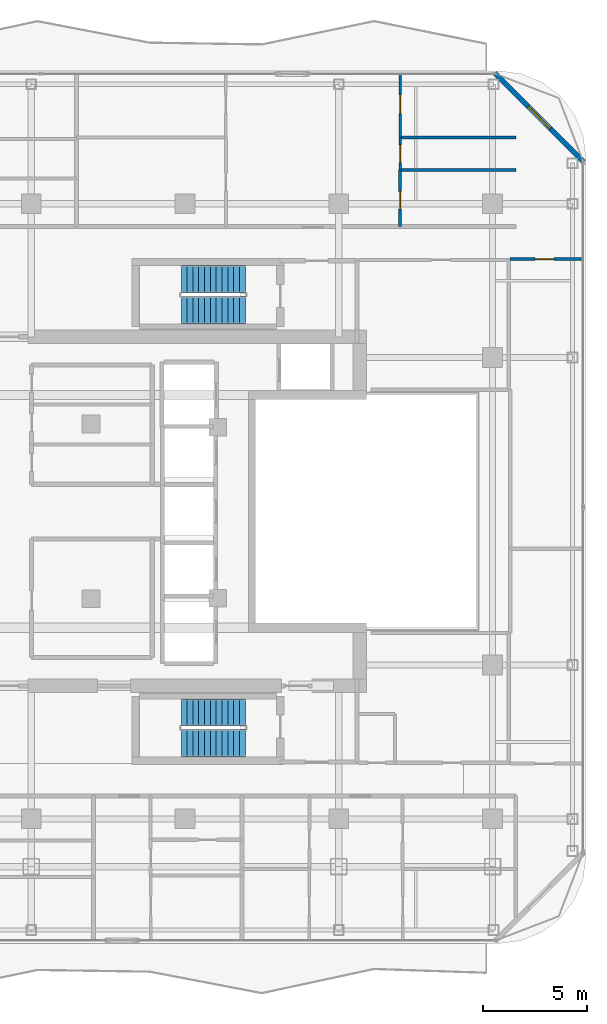
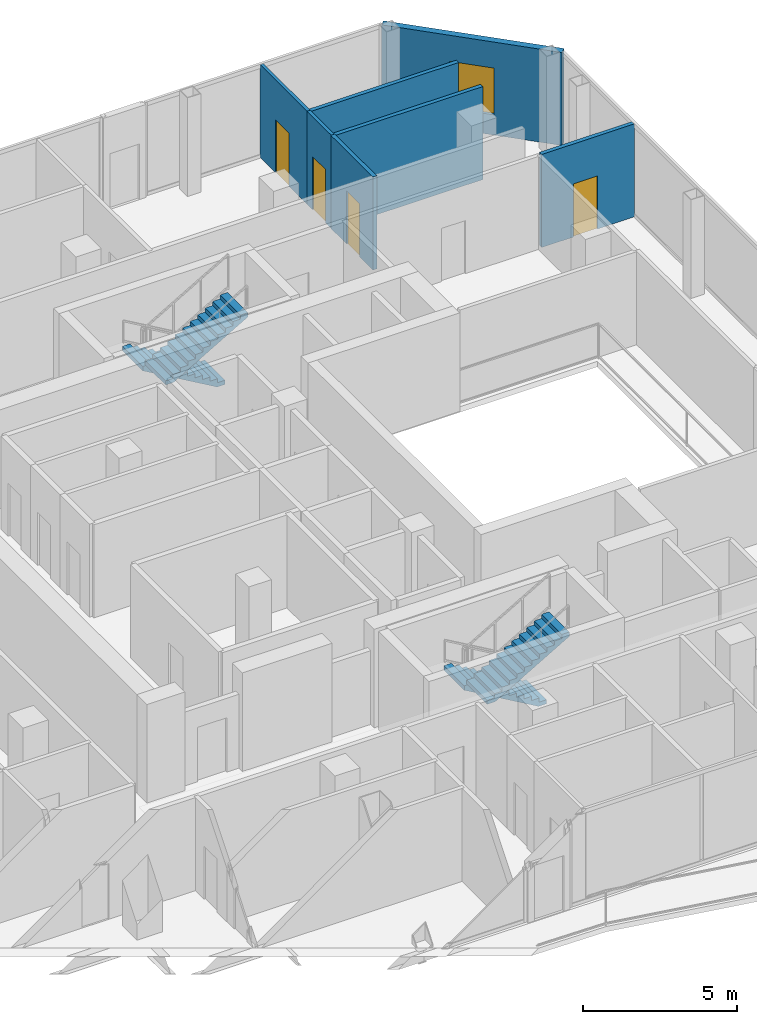
# One storey, part 19 of 22: 7 walls, 4 doors, 4 stair flights, 1 window, 5 openings, 2 elements without a shape of their own.
"""IFC4 building model written with IfcOpenShell, lengths in metres."""

from ifc_helpers import new_model, si_unit, direction, frame, frame_2d, origin, place, context, subcontext, project, spatial, polyline, rectangle, outline, extrude, material, layer, layer_set, type_object, element, fill, aggregate, save


model = new_model("IFC4")

# Units and contexts
model_context = context("Model", 3, precision=1e-05, world=origin(), true_north=direction((0.0, 1.0)))
body_context = subcontext(model_context, "Body", "Model", "MODEL_VIEW")
ifc_project = project(units=[si_unit("LENGTHUNIT", "METRE"), si_unit("AREAUNIT", "SQUARE_METRE"), si_unit("VOLUMEUNIT", "CUBIC_METRE"), si_unit("PLANEANGLEUNIT", "RADIAN"), si_unit("MASSUNIT", "GRAM", prefix="KILO")], contexts=[model_context])

# Site, building, storey
site_placement = place(None, origin())
site = spatial("IfcSite", under=ifc_project, at=site_placement, CompositionType="ELEMENT")
building_placement = place(site_placement, origin())
building = spatial("IfcBuilding", under=site, at=building_placement, Name="Khorvyn Point Tower", CompositionType="ELEMENT")
storey_placement = place(building_placement, frame((0.0, 0.0, 305.39990234375)))
storey = spatial("IfcBuildingStorey", under=building, at=storey_placement, Name="L75", CompositionType="ELEMENT", Elevation=305.39990234375)

# Wall, opening, window
ifc_material_1 = material(Name="Pale anodised aluminium rainscreen on steel stud", Category="steel")
ifc_layer_1 = layer(ifc_material_1, 0.239990234375)
ifc_layer_set_1 = layer_set([ifc_layer_1], Name="Anodised Aluminium Insulated Corner Spandrel Wall 240")
wall_type_1 = type_object("IfcWallType", Name="Anodised Aluminium Insulated Corner Spandrel Wall 240", PredefinedType="SOLIDWALL", material=ifc_layer_set_1)
wall_1_placement = place(storey_placement, frame((14.90771484375, 21.09228515625, 0.0), z_axis=(0.0, 0.0, 1.0), x_axis=(0.707106781187, -0.707106781187, 0.0)))
wall_1 = element("IfcWall", 1, at=wall_1_placement, inside=storey, type_object=wall_type_1, Name="L75 Rounded Corner Wall NE", PredefinedType="SOLIDWALL", context=body_context, shape_type="SweptSolid", body=[
    extrude(rectangle(XDim=6.059326171875, YDim=0.239990234375, at=frame_2d((3.02978515625, 0.0))), origin(), (0.0, 0.0, 1.0), 3.68017578125),
])
opening_1_placement = place(wall_1_placement, frame((2.27978515625, 0.0, 0.800048828125)))
opening_1 = element("IfcOpeningElement", 2, at=opening_1_placement, cuts=wall_1, Name="Opening WN-1518", PredefinedType="OPENING", context=body_context, shape_type="SweptSolid", body=[
    extrude(rectangle(XDim=1.5, YDim=1.85009765625, at=frame_2d((0.75, 0.925048828125))), frame((0.0, 0.1298828125, 0.0), z_axis=(0.0, -1.0, 0.0), x_axis=(1.0, 0.0, 0.0)), (0.0, 0.0, 1.0), 0.260009765625),
])
ifc_material_2 = material(Name="Anodised aluminium 6063-T6 and laminated Low-E glass", Category="aluminium")
window_type = type_object("IfcWindowType", Name="Anodised Aluminium Rounded-Corner Panoramic Window 1500x1850", PartitioningType="SINGLE_PANEL", PredefinedType="WINDOW", material=ifc_material_2)
window_placement = place(opening_1_placement, origin())
window = element("IfcWindow", 3, at=window_placement, inside=storey, type_object=window_type, Name="L75 Corner Panoramic Window NE", OverallHeight=1.85009765625, OverallWidth=1.5, PartitioningType="SINGLE_PANEL", PredefinedType="WINDOW", context=body_context, shape_type="SweptSolid", body=[
    extrude(rectangle(XDim=1.5, YDim=1.85009765625, at=frame_2d((0.75, 0.925048828125))), frame((0.0, 0.030029296875, 0.0), z_axis=(0.0, -1.0, 0.0), x_axis=(1.0, 0.0, 0.0)), (0.0, 0.0, 1.0), 0.06005859375),
])
fill(opening_1, window)

# Wall, opening, door
ifc_material_3 = material(Name="Gypsum plasterboard on steel stud", Category="steel")
ifc_layer_2 = layer(ifc_material_3, 0.1201171875)
ifc_layer_set_2 = layer_set([ifc_layer_2], Name="Gypsum Acoustic Stud Room Partition Wall 120")
wall_type_2 = type_object("IfcWallType", Name="Gypsum Acoustic Stud Room Partition Wall 120", PredefinedType="PARTITIONING", material=ifc_layer_set_2)
wall_2_placement = place(storey_placement, frame((10.35205078125, 16.419921875, 0.0), z_axis=(0.0, 0.0, 1.0), x_axis=(0.0, 1.0, 0.0)))
wall_2 = element("IfcWall", 4, at=wall_2_placement, inside=storey, type_object=wall_type_2, Name="Wall", PredefinedType="PARTITIONING", context=body_context, shape_type="SweptSolid", body=[
    extrude(rectangle(XDim=1.570068359375, YDim=0.1201171875, at=frame_2d((0.78515625, 0.0))), origin(), (0.0, 0.0, 1.0), 3.68017578125),
])
opening_2_placement = place(wall_2_placement, frame((0.360107421875, 0.0, 0.0)))
opening_2 = element("IfcOpeningElement", 5, at=opening_2_placement, cuts=wall_2, Name="Opening ID-WC85", PredefinedType="OPENING", context=body_context, shape_type="SweptSolid", body=[
    extrude(rectangle(XDim=0.85009765625, YDim=2.10009765625, at=frame_2d((0.425048828125, 1.050048828125))), frame((0.0, 0.070068359375, 0.0), z_axis=(0.0, -1.0, 0.0), x_axis=(1.0, 0.0, 0.0)), (0.0, 0.0, 1.0), 0.14013671875),
])
ifc_material_4 = material(Name="High-pressure laminate on moisture-resistant core", Category="wood")
door_type_1 = type_object("IfcDoorType", Name="Moisture-Resistant Accessible Washroom Door 850x2100", OperationType="NOTDEFINED", PredefinedType="DOOR", material=ifc_material_4)
door_1_placement = place(opening_2_placement, origin())
door_1 = element("IfcDoor", 6, at=door_1_placement, inside=storey, type_object=door_type_1, Name="Door", OperationType="SINGLE_SWING_RIGHT", OverallHeight=2.10009765625, OverallWidth=0.85009765625, PredefinedType="DOOR", context=body_context, shape_type="SweptSolid", body=[
    extrude(rectangle(XDim=0.85009765625, YDim=2.10009765625, at=frame_2d((0.425048828125, 1.050048828125))), frame((0.0, 0.02490234375, 0.0), z_axis=(0.0, -1.0, 0.0), x_axis=(1.0, 0.0, 0.0)), (0.0, 0.0, 1.0), 0.050048828125),
])
fill(opening_2, door_1)

wall_3_placement = place(storey_placement, frame((10.35205078125, 17.989990234375, 0.0), z_axis=(0.0, 0.0, 1.0), x_axis=(0.0, 1.0, 0.0)))
wall_3 = element("IfcWall", 7, at=wall_3_placement, inside=storey, type_object=wall_type_2, Name="Wall", PredefinedType="PARTITIONING", context=body_context, shape_type="SweptSolid", body=[
    extrude(rectangle(XDim=3.0400390625, YDim=0.1201171875, at=frame_2d((1.52001953125, 0.0))), origin(), (0.0, 0.0, 1.0), 3.68017578125),
])
opening_3_placement = place(wall_3_placement, frame((1.152587890625, 0.0, 0.0)))
opening_3 = element("IfcOpeningElement", 8, at=opening_3_placement, cuts=wall_3, Name="Opening ID-RM90", PredefinedType="OPENING", context=body_context, shape_type="SweptSolid", body=[
    extrude(rectangle(XDim=0.89990234375, YDim=2.10009765625, at=frame_2d((0.449951171875, 1.050048828125))), frame((0.0, 0.070068359375, 0.0), z_axis=(0.0, -1.0, 0.0), x_axis=(1.0, 0.0, 0.0)), (0.0, 0.0, 1.0), 0.14013671875),
])
ifc_material_5 = material(Name="Engineered oak veneer timber", Category="wood")
door_type_2 = type_object("IfcDoorType", Name="Flush Engineered Timber Room Door 900x2100", OperationType="NOTDEFINED", PredefinedType="DOOR", material=ifc_material_5)
door_2_placement = place(opening_3_placement, origin())
door_2 = element("IfcDoor", 9, at=door_2_placement, inside=storey, type_object=door_type_2, Name="Door", OperationType="SINGLE_SWING_LEFT", OverallHeight=2.10009765625, OverallWidth=0.89990234375, PredefinedType="DOOR", context=body_context, shape_type="SweptSolid", body=[
    extrude(rectangle(XDim=0.89990234375, YDim=2.10009765625, at=frame_2d((0.449951171875, 1.050048828125))), frame((0.0, 0.02490234375, 0.0), z_axis=(0.0, -1.0, 0.0), x_axis=(1.0, 0.0, 0.0)), (0.0, 0.0, 1.0), 0.050048828125),
])
fill(opening_3, door_2)

ifc_material_6 = material(Name="Moisture-resistant gypsum and cement board", Category="gypsum")
ifc_layer_3 = layer(ifc_material_6, 0.14990234375)
ifc_layer_set_3 = layer_set([ifc_layer_3], Name="Moisture-Resistant Wet-Room Partition Wall 150")
wall_type_3 = type_object("IfcWallType", Name="Moisture-Resistant Wet-Room Partition Wall 150", PredefinedType="PARTITIONING", material=ifc_layer_set_3)
wall_4_placement = place(storey_placement, frame((10.35205078125, 13.699951171875, 0.0), z_axis=(0.0, 0.0, 1.0), x_axis=(0.0, 1.0, 0.0)))
wall_4 = element("IfcWall", 10, at=wall_4_placement, inside=storey, type_object=wall_type_3, Name="Wall", PredefinedType="PARTITIONING", context=body_context, shape_type="SweptSolid", body=[
    extrude(rectangle(XDim=2.719970703125, YDim=0.14990234375, at=frame_2d((1.35986328125, 0.0))), origin(), (0.0, 0.0, 1.0), 3.68017578125),
])
opening_4_placement = place(wall_4_placement, frame((0.848876953125, 0.0, 0.0)))
opening_4 = element("IfcOpeningElement", 11, at=opening_4_placement, cuts=wall_4, Name="Opening ID-WC85", PredefinedType="OPENING", context=body_context, shape_type="SweptSolid", body=[
    extrude(rectangle(XDim=0.85009765625, YDim=2.10009765625, at=frame_2d((0.425048828125, 1.050048828125))), frame((0.0, 0.0849609375, 0.0), z_axis=(0.0, -1.0, 0.0), x_axis=(1.0, 0.0, 0.0)), (0.0, 0.0, 1.0), 0.169921875),
])
door_3_placement = place(opening_4_placement, origin())
door_3 = element("IfcDoor", 12, at=door_3_placement, inside=storey, type_object=door_type_1, Name="Door", OperationType="SINGLE_SWING_LEFT", OverallHeight=2.10009765625, OverallWidth=0.85009765625, PredefinedType="DOOR", context=body_context, shape_type="SweptSolid", body=[
    extrude(rectangle(XDim=0.85009765625, YDim=2.10009765625, at=frame_2d((0.425048828125, 1.050048828125))), frame((0.0, 0.02490234375, 0.0), z_axis=(0.0, -1.0, 0.0), x_axis=(1.0, 0.0, 0.0)), (0.0, 0.0, 1.0), 0.050048828125),
])
fill(opening_4, door_3)

wall_5_placement = place(storey_placement, frame((15.64990234375, 12.139892578125, 0.0), z_axis=(0.0, 0.0, 1.0), x_axis=(1.0, 0.0, 0.0)))
wall_5 = element("IfcWall", 13, at=wall_5_placement, inside=storey, type_object=wall_type_3, Name="Wall", PredefinedType="PARTITIONING", context=body_context, shape_type="SweptSolid", body=[
    extrude(rectangle(XDim=3.47021484375, YDim=0.14990234375, at=frame_2d((1.735107421875, 0.0))), origin(), (0.0, 0.0, 1.0), 3.68017578125),
])
opening_5_placement = place(wall_5_placement, frame((1.198486328125, 0.0, 0.0)))
opening_5 = element("IfcOpeningElement", 14, at=opening_5_placement, cuts=wall_5, Name="Opening ID-RM90", PredefinedType="OPENING", context=body_context, shape_type="SweptSolid", body=[
    extrude(rectangle(XDim=0.89990234375, YDim=2.10009765625, at=frame_2d((0.449951171875, 1.050048828125))), frame((0.0, 0.0849609375, 0.0), z_axis=(0.0, -1.0, 0.0), x_axis=(1.0, 0.0, 0.0)), (0.0, 0.0, 1.0), 0.169921875),
])
door_4_placement = place(opening_5_placement, origin())
door_4 = element("IfcDoor", 15, at=door_4_placement, inside=storey, type_object=door_type_2, Name="Door", OperationType="SINGLE_SWING_RIGHT", OverallHeight=2.10009765625, OverallWidth=0.89990234375, PredefinedType="DOOR", context=body_context, shape_type="SweptSolid", body=[
    extrude(rectangle(XDim=0.89990234375, YDim=2.10009765625, at=frame_2d((0.449951171875, 1.050048828125))), frame((0.0, 0.02490234375, 0.0), z_axis=(0.0, -1.0, 0.0), x_axis=(1.0, 0.0, 0.0)), (0.0, 0.0, 1.0), 0.050048828125),
])
fill(opening_5, door_4)

# Walls
for number, where, z_axis, x_axis, name in (
    (16, (10.35205078125, 16.419921875, 0.0), (0.0, 0.0, 1.0), (1.0, 0.0, 0.0), "Wall"),
    (17, (10.35205078125, 17.989990234375, 0.0), (0.0, 0.0, 1.0), (1.0, 0.0, 0.0), "Wall"),
):
    element("IfcWall", number, at=place(storey_placement, frame(where, z_axis=z_axis, x_axis=x_axis)), inside=storey, type_object=wall_type_3, Name=name, PredefinedType="PARTITIONING", context=body_context, shape_type="SweptSolid", body=[
        extrude(rectangle(XDim=5.56787109375, YDim=0.14990234375, at=frame_2d((2.783935546875, 0.0))), origin(), (0.0, 0.0, 1.0), 3.68017578125),
    ])

# Stair, stair flights
ifc_material_7 = material(Name="Concrete C40/50", Category="concrete")
stair_type = type_object("IfcStairType", Name="Tower Concrete C40/50 Dogleg Exit Stair", PredefinedType="HALF_TURN_STAIR", material=ifc_material_7)
stair_1_placement = place(storey_placement, origin())
stair_1 = element("IfcStair", 18, at=stair_1_placement, inside=storey, type_object=stair_type, Name="L75 Tower Smokeproof Exit Stair South", PredefinedType="HALF_TURN_STAIR")
stair_flight_type = type_object("IfcStairFlightType", Name="Tower Concrete C40/50 Stair Flight", PredefinedType="STRAIGHT", material=ifc_material_7)
stair_flight_1_placement = place(storey_placement, frame((2.89990234375, -9.679931640625, 0.0), z_axis=(0.0, 0.0, 1.0), x_axis=(-1.0, 0.0, 0.0)))
stair_flight_1 = element("IfcStairFlight", 19, at=stair_flight_1_placement, type_object=stair_flight_type, Name="ST-01 flight 1", NumberOfRisers=12, NumberOfTreads=11, PredefinedType="STRAIGHT", RiserHeight=0.1625, TreadLength=0.28, context=body_context, shape_type="SweptSolid", body=[
    extrude(outline(polyline([(0.0, 0.0), (0.0, 0.16259765625), (0.280029296875, 0.16259765625), (0.280029296875, 0.324951171875), (0.56005859375, 0.324951171875), (0.56005859375, 0.487548828125), (0.840087890625, 0.487548828125), (0.840087890625, 0.64990234375), (1.1201171875, 0.64990234375), (1.1201171875, 0.8125), (1.39990234375, 0.8125), (1.39990234375, 0.97509765625), (1.679931640625, 0.97509765625), (1.679931640625, 1.137451171875), (1.9599609375, 1.137451171875), (1.9599609375, 1.300048828125), (2.239990234375, 1.300048828125), (2.239990234375, 1.46240234375), (2.52001953125, 1.46240234375), (2.52001953125, 1.625), (2.800048828125, 1.625), (2.800048828125, 1.78759765625), (3.080078125, 1.78759765625), (3.080078125, 1.949951171875), (3.080078125, 1.6142578125), (0.298583984375, 0.0), (0.0, 0.0)])), frame((0.0, 0.66015625, 0.0), z_axis=(0.0, -1.0, 0.0), x_axis=(1.0, 0.0, 0.0)), (0.0, 0.0, 1.0), 1.320068359375),
])
stair_flight_2_placement = place(storey_placement, frame((-0.179931640625, -11.159912109375, 1.9501953125), z_axis=(0.0, 0.0, 1.0), x_axis=(1.0, 0.0, 0.0)))
stair_flight_2 = element("IfcStairFlight", 20, at=stair_flight_2_placement, type_object=stair_flight_type, Name="ST-01 flight 2", NumberOfRisers=12, NumberOfTreads=11, PredefinedType="STRAIGHT", RiserHeight=0.1625, TreadLength=0.28, context=body_context, shape_type="SweptSolid", body=[
    extrude(outline(polyline([(0.0, 0.0), (0.0, 0.16259765625), (0.280029296875, 0.16259765625), (0.280029296875, 0.324951171875), (0.56005859375, 0.324951171875), (0.56005859375, 0.487548828125), (0.840087890625, 0.487548828125), (0.840087890625, 0.64990234375), (1.1201171875, 0.64990234375), (1.1201171875, 0.8125), (1.39990234375, 0.8125), (1.39990234375, 0.97509765625), (1.679931640625, 0.97509765625), (1.679931640625, 1.137451171875), (1.9599609375, 1.137451171875), (1.9599609375, 1.300048828125), (2.239990234375, 1.300048828125), (2.239990234375, 1.46240234375), (2.52001953125, 1.46240234375), (2.52001953125, 1.625), (2.800048828125, 1.625), (2.800048828125, 1.78759765625), (3.080078125, 1.78759765625), (3.080078125, 1.949951171875), (3.080078125, 1.6142578125), (0.298583984375, 0.0), (0.0, 0.0)])), frame((0.0, 0.66015625, 0.0), z_axis=(0.0, -1.0, 0.0), x_axis=(1.0, 0.0, 0.0)), (0.0, 0.0, 1.0), 1.320068359375),
])
aggregate(stair_1, [stair_flight_1, stair_flight_2])

stair_2_placement = place(storey_placement, origin())
stair_2 = element("IfcStair", 21, at=stair_2_placement, inside=storey, type_object=stair_type, Name="L75 Tower Smokeproof Exit Stair North", PredefinedType="HALF_TURN_STAIR")
stair_flight_3_placement = place(storey_placement, frame((2.89990234375, 11.159912109375, 0.0), z_axis=(0.0, 0.0, 1.0), x_axis=(-1.0, 0.0, 0.0)))
stair_flight_3 = element("IfcStairFlight", 22, at=stair_flight_3_placement, type_object=stair_flight_type, Name="ST-02 flight 1", NumberOfRisers=12, NumberOfTreads=11, PredefinedType="STRAIGHT", RiserHeight=0.1625, TreadLength=0.28, context=body_context, shape_type="SweptSolid", body=[
    extrude(outline(polyline([(0.0, 0.0), (0.0, 0.16259765625), (0.280029296875, 0.16259765625), (0.280029296875, 0.324951171875), (0.56005859375, 0.324951171875), (0.56005859375, 0.487548828125), (0.840087890625, 0.487548828125), (0.840087890625, 0.64990234375), (1.1201171875, 0.64990234375), (1.1201171875, 0.8125), (1.39990234375, 0.8125), (1.39990234375, 0.97509765625), (1.679931640625, 0.97509765625), (1.679931640625, 1.137451171875), (1.9599609375, 1.137451171875), (1.9599609375, 1.300048828125), (2.239990234375, 1.300048828125), (2.239990234375, 1.46240234375), (2.52001953125, 1.46240234375), (2.52001953125, 1.625), (2.800048828125, 1.625), (2.800048828125, 1.78759765625), (3.080078125, 1.78759765625), (3.080078125, 1.949951171875), (3.080078125, 1.6142578125), (0.298583984375, 0.0), (0.0, 0.0)])), frame((0.0, 0.66015625, 0.0), z_axis=(0.0, -1.0, 0.0), x_axis=(1.0, 0.0, 0.0)), (0.0, 0.0, 1.0), 1.320068359375),
])
stair_flight_4_placement = place(storey_placement, frame((-0.179931640625, 9.679931640625, 1.9501953125), z_axis=(0.0, 0.0, 1.0), x_axis=(1.0, 0.0, 0.0)))
stair_flight_4 = element("IfcStairFlight", 23, at=stair_flight_4_placement, type_object=stair_flight_type, Name="ST-02 flight 2", NumberOfRisers=12, NumberOfTreads=11, PredefinedType="STRAIGHT", RiserHeight=0.1625, TreadLength=0.28, context=body_context, shape_type="SweptSolid", body=[
    extrude(outline(polyline([(0.0, 0.0), (0.0, 0.16259765625), (0.280029296875, 0.16259765625), (0.280029296875, 0.324951171875), (0.56005859375, 0.324951171875), (0.56005859375, 0.487548828125), (0.840087890625, 0.487548828125), (0.840087890625, 0.64990234375), (1.1201171875, 0.64990234375), (1.1201171875, 0.8125), (1.39990234375, 0.8125), (1.39990234375, 0.97509765625), (1.679931640625, 0.97509765625), (1.679931640625, 1.137451171875), (1.9599609375, 1.137451171875), (1.9599609375, 1.300048828125), (2.239990234375, 1.300048828125), (2.239990234375, 1.46240234375), (2.52001953125, 1.46240234375), (2.52001953125, 1.625), (2.800048828125, 1.625), (2.800048828125, 1.78759765625), (3.080078125, 1.78759765625), (3.080078125, 1.949951171875), (3.080078125, 1.6142578125), (0.298583984375, 0.0), (0.0, 0.0)])), frame((0.0, 0.66015625, 0.0), z_axis=(0.0, -1.0, 0.0), x_axis=(1.0, 0.0, 0.0)), (0.0, 0.0, 1.0), 1.320068359375),
])
aggregate(stair_2, [stair_flight_3, stair_flight_4])

save(model, "model.ifc")
